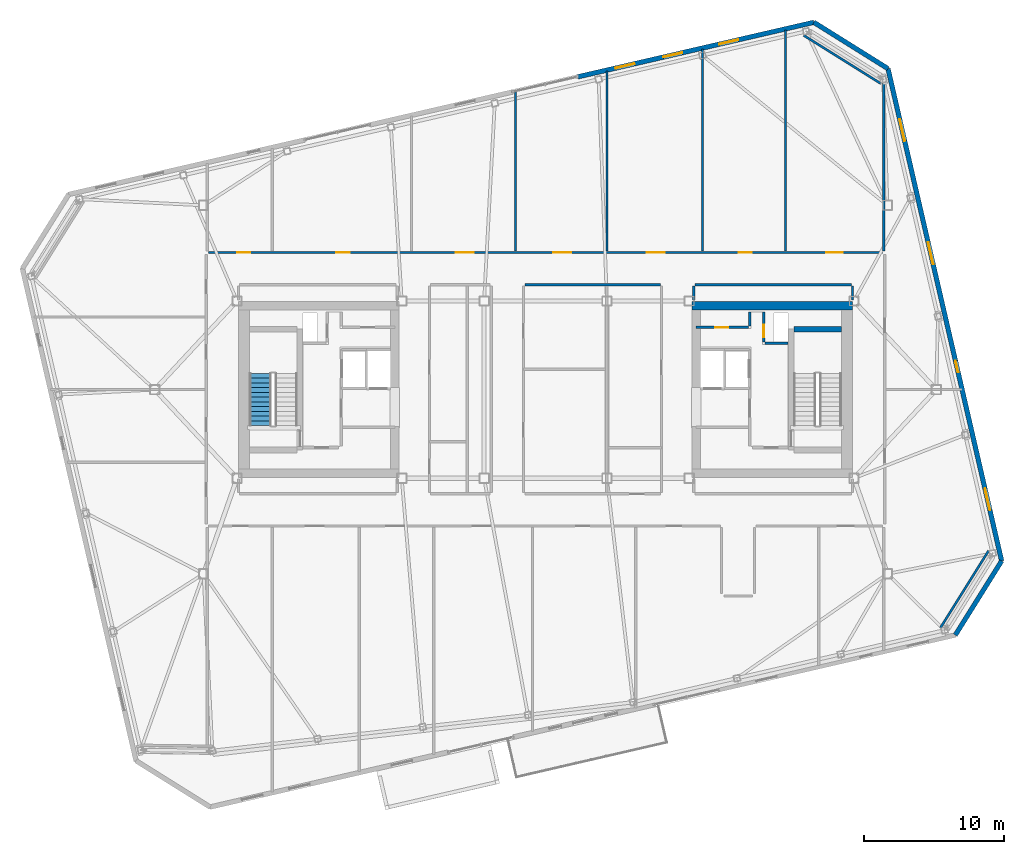
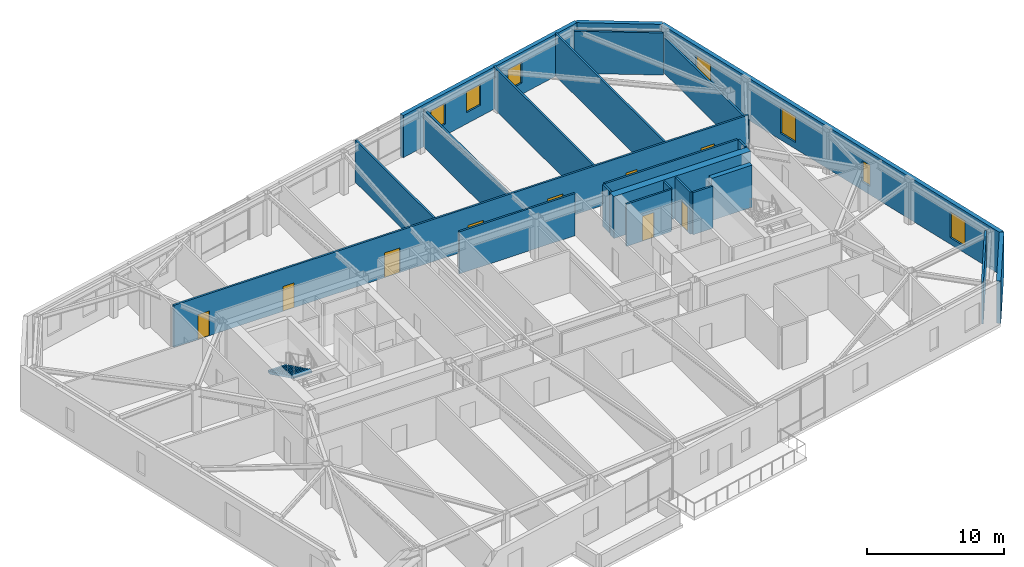
# One storey, part 18 of 23: 22 walls, 9 doors, 7 windows, 1 stair flight, 16 openings, 1 element without a shape of its own.
"""IFC4 building model written with IfcOpenShell, lengths in metres."""

from ifc_helpers import new_model, si_unit, direction, frame, frame_2d, origin, place, context, subcontext, project, spatial, polyline, rectangle, outline, extrude, material, layer, layer_set, type_object, element, fill, aggregate, save


model = new_model("IFC4")

# Units and contexts
model_context = context("Model", 3, precision=1e-05, world=origin(), true_north=direction((0.0, 1.0)))
body_context = subcontext(model_context, "Body", "Model", "MODEL_VIEW")
ifc_project = project(units=[si_unit("LENGTHUNIT", "METRE"), si_unit("AREAUNIT", "SQUARE_METRE"), si_unit("VOLUMEUNIT", "CUBIC_METRE"), si_unit("PLANEANGLEUNIT", "RADIAN"), si_unit("MASSUNIT", "GRAM", prefix="KILO")], contexts=[model_context])

# Site, building, storey
site_placement = place(None, origin())
site = spatial("IfcSite", under=ifc_project, at=site_placement, CompositionType="ELEMENT")
building_placement = place(site_placement, origin())
building = spatial("IfcBuilding", under=site, at=building_placement, Name="Tavrogorsk Clinical Tower", CompositionType="ELEMENT")
storey_placement = place(building_placement, frame((0.0, 0.0, 289.0)))
storey = spatial("IfcBuildingStorey", under=building, at=storey_placement, Name="L67", CompositionType="ELEMENT", Elevation=289.0)

# Wall, opening, door
ifc_material_1 = material(Name="Lightweight concrete blockwork B15", Category="masonry")
ifc_layer_1 = layer(ifc_material_1, 0.159912109375)
ifc_layer_set_1 = layer_set([ifc_layer_1], Name="Lightweight concrete blockwork B15")
wall_type_1 = type_object("IfcWallType", Name="PartitionWall_160", PredefinedType="PARTITIONING", material=ifc_layer_set_1)
wall_1_placement = place(storey_placement, frame((10.800048828125, 4.4599609375, 0.0), z_axis=(0.0, 0.0, 1.0), x_axis=(1.0, 0.0, 0.0)))
wall_1 = element("IfcWall", 1, at=wall_1_placement, inside=storey, type_object=wall_type_1, Name="L67 Core East Pneumatic Dispatch South Wall", PredefinedType="PARTITIONING", context=body_context, shape_type="SweptSolid", body=[
    extrude(rectangle(XDim=3.7548828125, YDim=0.159912109375, at=frame_2d((1.87744140625, 0.0))), origin(), (0.0, 0.0, 1.0), 3.739990234375),
])
opening_1_placement = place(wall_1_placement, frame((1.35009765625, 0.0, 0.0)))
opening_1 = element("IfcOpeningElement", 2, at=opening_1_placement, cuts=wall_1, Name="Opening ID-02", PredefinedType="OPENING", context=body_context, shape_type="SweptSolid", body=[
    extrude(rectangle(XDim=0.949951171875, YDim=2.199951171875, at=frame_2d((0.47509765625, 1.10009765625))), frame((0.0, 0.08984375, 0.0), z_axis=(0.0, -1.0, 0.0), x_axis=(1.0, 0.0, 0.0)), (0.0, 0.0, 1.0), 0.179931640625),
])
ifc_material_2 = material(Name="Laminated timber leaf on aluminium frame", Category="wood")
door_type_1 = type_object("IfcDoorType", Name="InteriorDoor_ID02_950", OperationType="NOTDEFINED", PredefinedType="DOOR", material=ifc_material_2)
door_1_placement = place(opening_1_placement, origin())
door_1 = element("IfcDoor", 3, at=door_1_placement, inside=storey, type_object=door_type_1, Name="L67 Core East Pneumatic Dispatch Door", OperationType="SINGLE_SWING_LEFT", OverallHeight=2.199951171875, OverallWidth=0.949951171875, PredefinedType="DOOR", context=body_context, shape_type="SweptSolid", body=[
    extrude(rectangle(XDim=0.949951171875, YDim=2.199951171875, at=frame_2d((0.47509765625, 1.10009765625))), frame((0.0, 0.02490234375, 0.0), z_axis=(0.0, -1.0, 0.0), x_axis=(1.0, 0.0, 0.0)), (0.0, 0.0, 1.0), 0.050048828125),
])
fill(opening_1, door_1)

# Walls
wall_2_placement = place(storey_placement, frame((14.639892578125, 4.544921875, 0.0), z_axis=(0.0, 0.0, 1.0), x_axis=(0.0, 1.0, 0.0)))
element("IfcWall", 4, at=wall_2_placement, inside=storey, type_object=wall_type_1, Name="L67 Core East Pneumatic Dispatch East Wall", PredefinedType="PARTITIONING", context=body_context, shape_type="SweptSolid", body=[
    extrude(rectangle(XDim=1.01513671875, YDim=0.159912109375, at=frame_2d((0.507568359375, 0.0))), origin(), (0.0, 0.0, 1.0), 3.739990234375),
])
for number, where, z_axis, x_axis, name in (
    (5, (28.30029296875, -17.064697265625, 0.0), (0.0, 0.0, 1.0), (0.529914601736, 0.848051009591, 0.0), "L67 Corner Exoskeleton Brace Furring Wall 1"),
    (6, (24.018310546875, 21.9306640625, 0.0), (0.0, 0.0, 1.0), (-0.848051009591, 0.529914601736, 0.0), "L67 Corner Exoskeleton Brace Furring Wall 2"),
):
    element("IfcWall", number, at=place(storey_placement, frame(where, z_axis=z_axis, x_axis=x_axis)), inside=storey, type_object=wall_type_1, Name=name, PredefinedType="PARTITIONING", context=body_context, shape_type="SweptSolid", body=[
        extrude(rectangle(XDim=6.50537109375, YDim=0.159912109375, at=frame_2d((3.252685546875, 0.0))), origin(), (0.0, 0.0, 1.0), 3.739990234375),
    ])

# Wall, openings, doors
wall_3_placement = place(storey_placement, frame((-24.14501953125, 9.830078125, 0.0), z_axis=(0.0, 0.0, 1.0), x_axis=(1.0, 0.0, 0.0)))
wall_3 = element("IfcWall", 7, at=wall_3_placement, inside=storey, type_object=wall_type_1, Name="L67 Corridor Partition 02", PredefinedType="PARTITIONING", context=body_context, shape_type="SweptSolid", body=[
    extrude(rectangle(XDim=48.2900390625, YDim=0.159912109375, at=frame_2d((24.14501953125, 0.0))), origin(), (0.0, 0.0, 1.0), 3.739990234375),
])
opening_2_placement = place(wall_3_placement, frame((2.044189453125, 0.0, 0.0)))
opening_2 = element("IfcOpeningElement", 8, at=opening_2_placement, cuts=wall_3, Name="Opening ID-02", PredefinedType="OPENING", context=body_context, shape_type="SweptSolid", body=[
    extrude(rectangle(XDim=0.949951171875, YDim=2.199951171875, at=frame_2d((0.47509765625, 1.10009765625))), frame((0.0, 0.08984375, 0.0), z_axis=(0.0, -1.0, 0.0), x_axis=(1.0, 0.0, 0.0)), (0.0, 0.0, 1.0), 0.179931640625),
])
opening_3_placement = place(wall_3_placement, frame((9.1650390625, 0.0, 0.0)))
opening_3 = element("IfcOpeningElement", 9, at=opening_3_placement, cuts=wall_3, Name="Opening ID-02", PredefinedType="OPENING", context=body_context, shape_type="SweptSolid", body=[
    extrude(rectangle(XDim=0.949951171875, YDim=2.199951171875, at=frame_2d((0.47509765625, 1.10009765625))), frame((0.0, 0.08984375, 0.0), z_axis=(0.0, -1.0, 0.0), x_axis=(1.0, 0.0, 0.0)), (0.0, 0.0, 1.0), 0.179931640625),
])
opening_4_placement = place(wall_3_placement, frame((17.705078125, 0.0, 0.0)))
opening_4 = element("IfcOpeningElement", 10, at=opening_4_placement, cuts=wall_3, Name="Opening ID-01", PredefinedType="OPENING", context=body_context, shape_type="SweptSolid", body=[
    extrude(rectangle(XDim=1.300048828125, YDim=2.199951171875, at=frame_2d((0.64990234375, 1.10009765625))), frame((0.0, 0.08984375, 0.0), z_axis=(0.0, -1.0, 0.0), x_axis=(1.0, 0.0, 0.0)), (0.0, 0.0, 1.0), 0.179931640625),
])
opening_5_placement = place(wall_3_placement, frame((24.705078125, 0.0, 0.0)))
opening_5 = element("IfcOpeningElement", 11, at=opening_5_placement, cuts=wall_3, Name="Opening ID-01", PredefinedType="OPENING", context=body_context, shape_type="SweptSolid", body=[
    extrude(rectangle(XDim=1.300048828125, YDim=2.199951171875, at=frame_2d((0.64990234375, 1.10009765625))), frame((0.0, 0.08984375, 0.0), z_axis=(0.0, -1.0, 0.0), x_axis=(1.0, 0.0, 0.0)), (0.0, 0.0, 1.0), 0.179931640625),
])
opening_6_placement = place(wall_3_placement, frame((31.405029296875, 0.0, 0.0)))
opening_6 = element("IfcOpeningElement", 12, at=opening_6_placement, cuts=wall_3, Name="Opening ID-01", PredefinedType="OPENING", context=body_context, shape_type="SweptSolid", body=[
    extrude(rectangle(XDim=1.300048828125, YDim=2.199951171875, at=frame_2d((0.64990234375, 1.10009765625))), frame((0.0, 0.08984375, 0.0), z_axis=(0.0, -1.0, 0.0), x_axis=(1.0, 0.0, 0.0)), (0.0, 0.0, 1.0), 0.179931640625),
])
opening_7_placement = place(wall_3_placement, frame((37.97998046875, 0.0, 0.0)))
opening_7 = element("IfcOpeningElement", 13, at=opening_7_placement, cuts=wall_3, Name="Opening ID-02", PredefinedType="OPENING", context=body_context, shape_type="SweptSolid", body=[
    extrude(rectangle(XDim=0.949951171875, YDim=2.199951171875, at=frame_2d((0.47509765625, 1.10009765625))), frame((0.0, 0.08984375, 0.0), z_axis=(0.0, -1.0, 0.0), x_axis=(1.0, 0.0, 0.0)), (0.0, 0.0, 1.0), 0.179931640625),
])
opening_8_placement = place(wall_3_placement, frame((44.27587890625, 0.0, 0.0)))
opening_8 = element("IfcOpeningElement", 14, at=opening_8_placement, cuts=wall_3, Name="Opening ID-06", PredefinedType="OPENING", context=body_context, shape_type="SweptSolid", body=[
    extrude(rectangle(XDim=1.14990234375, YDim=2.199951171875, at=frame_2d((0.574951171875, 1.10009765625))), frame((0.0, 0.08984375, 0.0), z_axis=(0.0, -1.0, 0.0), x_axis=(1.0, 0.0, 0.0)), (0.0, 0.0, 1.0), 0.179931640625),
])
door_2_placement = place(opening_2_placement, origin())
door_2 = element("IfcDoor", 15, at=door_2_placement, inside=storey, type_object=door_type_1, Name="L67 North Physician Consultation Office 01 Door", OperationType="SINGLE_SWING_LEFT", OverallHeight=2.199951171875, OverallWidth=0.949951171875, PredefinedType="DOOR", context=body_context, shape_type="SweptSolid", body=[
    extrude(rectangle(XDim=0.949951171875, YDim=2.199951171875, at=frame_2d((0.47509765625, 1.10009765625))), frame((0.0, 0.02490234375, 0.0), z_axis=(0.0, -1.0, 0.0), x_axis=(1.0, 0.0, 0.0)), (0.0, 0.0, 1.0), 0.050048828125),
])
fill(opening_2, door_2)
door_3_placement = place(opening_3_placement, origin())
door_3 = element("IfcDoor", 16, at=door_3_placement, inside=storey, type_object=door_type_1, Name="L67 North Patient & Family Quiet Lounge 02 Door", OperationType="SINGLE_SWING_RIGHT", OverallHeight=2.199951171875, OverallWidth=0.949951171875, PredefinedType="DOOR", context=body_context, shape_type="SweptSolid", body=[
    extrude(rectangle(XDim=0.949951171875, YDim=2.199951171875, at=frame_2d((0.47509765625, 1.10009765625))), frame((0.0, 0.02490234375, 0.0), z_axis=(0.0, -1.0, 0.0), x_axis=(1.0, 0.0, 0.0)), (0.0, 0.0, 1.0), 0.050048828125),
])
fill(opening_3, door_3)
door_4_placement = place(opening_7_placement, origin())
door_4 = element("IfcDoor", 17, at=door_4_placement, inside=storey, type_object=door_type_1, Name="L67 North Physician Consultation Office 04B Door", OperationType="SINGLE_SWING_RIGHT", OverallHeight=2.199951171875, OverallWidth=0.949951171875, PredefinedType="DOOR", context=body_context, shape_type="SweptSolid", body=[
    extrude(rectangle(XDim=0.949951171875, YDim=2.199951171875, at=frame_2d((0.47509765625, 1.10009765625))), frame((0.0, 0.02490234375, 0.0), z_axis=(0.0, -1.0, 0.0), x_axis=(1.0, 0.0, 0.0)), (0.0, 0.0, 1.0), 0.050048828125),
])
fill(opening_7, door_4)
ifc_material_3 = material(Name="Antibacterial HPL procedure door on aluminium frame", Category="aluminium")
door_type_2 = type_object("IfcDoorType", Name="LabDoor_ID06_1150", OperationType="NOTDEFINED", PredefinedType="DOOR", material=ifc_material_3)
door_5_placement = place(opening_8_placement, origin())
door_5 = element("IfcDoor", 18, at=door_5_placement, inside=storey, type_object=door_type_2, Name="L67 North Multidisciplinary Case Room 05 Door", OperationType="SINGLE_SWING_LEFT", OverallHeight=2.199951171875, OverallWidth=1.14990234375, PredefinedType="DOOR", context=body_context, shape_type="SweptSolid", body=[
    extrude(rectangle(XDim=1.14990234375, YDim=2.199951171875, at=frame_2d((0.574951171875, 1.10009765625))), frame((0.0, 0.02490234375, 0.0), z_axis=(0.0, -1.0, 0.0), x_axis=(1.0, 0.0, 0.0)), (0.0, 0.0, 1.0), 0.050048828125),
])
fill(opening_8, door_5)
ifc_material_4 = material(Name="Antibacterial HPL medical leaf on aluminium frame", Category="aluminium")
door_type_3 = type_object("IfcDoorType", Name="WardBedDoor_ID01_1300", OperationType="NOTDEFINED", PredefinedType="DOOR", material=ifc_material_4)
door_6_placement = place(opening_4_placement, origin())
door_6 = element("IfcDoor", 19, at=door_6_placement, inside=storey, type_object=door_type_3, Name="L67 North Acute Isolation Suite 03A Door", OperationType="SINGLE_SWING_LEFT", OverallHeight=2.199951171875, OverallWidth=1.300048828125, PredefinedType="DOOR", context=body_context, shape_type="SweptSolid", body=[
    extrude(rectangle(XDim=1.300048828125, YDim=2.199951171875, at=frame_2d((0.64990234375, 1.10009765625))), frame((0.0, 0.02490234375, 0.0), z_axis=(0.0, -1.0, 0.0), x_axis=(1.0, 0.0, 0.0)), (0.0, 0.0, 1.0), 0.050048828125),
])
fill(opening_4, door_6)
door_7_placement = place(opening_5_placement, origin())
door_7 = element("IfcDoor", 20, at=door_7_placement, inside=storey, type_object=door_type_3, Name="L67 North Step-Down Telemetry Ward 03B Door", OperationType="SINGLE_SWING_RIGHT", OverallHeight=2.199951171875, OverallWidth=1.300048828125, PredefinedType="DOOR", context=body_context, shape_type="SweptSolid", body=[
    extrude(rectangle(XDim=1.300048828125, YDim=2.199951171875, at=frame_2d((0.64990234375, 1.10009765625))), frame((0.0, 0.02490234375, 0.0), z_axis=(0.0, -1.0, 0.0), x_axis=(1.0, 0.0, 0.0)), (0.0, 0.0, 1.0), 0.050048828125),
])
fill(opening_5, door_7)
door_8_placement = place(opening_6_placement, origin())
door_8 = element("IfcDoor", 21, at=door_8_placement, inside=storey, type_object=door_type_3, Name="L67 North Sub-Acute Recovery Ward 04A Door", OperationType="SINGLE_SWING_LEFT", OverallHeight=2.199951171875, OverallWidth=1.300048828125, PredefinedType="DOOR", context=body_context, shape_type="SweptSolid", body=[
    extrude(rectangle(XDim=1.300048828125, YDim=2.199951171875, at=frame_2d((0.64990234375, 1.10009765625))), frame((0.0, 0.02490234375, 0.0), z_axis=(0.0, -1.0, 0.0), x_axis=(1.0, 0.0, 0.0)), (0.0, 0.0, 1.0), 0.050048828125),
])
fill(opening_6, door_8)

# Walls
wall_4_placement = place(storey_placement, frame((21.9150390625, 7.52001953125, 0.0), z_axis=(0.0, 0.0, 1.0), x_axis=(-1.0, 0.0, 0.0)))
element("IfcWall", 22, at=wall_4_placement, inside=storey, type_object=wall_type_1, Name="L67 Corridor Partition 09", PredefinedType="PARTITIONING", context=body_context, shape_type="SweptSolid", body=[
    extrude(rectangle(XDim=11.199951171875, YDim=0.159912109375, at=frame_2d((5.60009765625, 0.0))), origin(), (0.0, 0.0, 1.0), 3.739990234375),
])
for number, where, z_axis, x_axis, name in (
    (23, (10.6298828125, 7.43505859375, 0.0), (0.0, 0.0, 1.0), (0.0, -1.0, 0.0), "L67 Corridor Partition 10"),
    (24, (22.0, 6.419921875, 0.0), (0.0, 0.0, 1.0), (0.0, 1.0, 0.0), "L67 Corridor Partition 14"),
):
    element("IfcWall", number, at=place(storey_placement, frame(where, z_axis=z_axis, x_axis=x_axis)), inside=storey, type_object=wall_type_1, Name=name, PredefinedType="PARTITIONING", context=body_context, shape_type="SweptSolid", body=[
        extrude(rectangle(XDim=1.01513671875, YDim=0.159912109375, at=frame_2d((0.507568359375, 0.0))), origin(), (0.0, 0.0, 1.0), 3.739990234375),
    ])
wall_5_placement = place(storey_placement, frame((8.235107421875, 7.52001953125, 0.0), z_axis=(0.0, 0.0, 1.0), x_axis=(-1.0, 0.0, 0.0)))
element("IfcWall", 25, at=wall_5_placement, inside=storey, type_object=wall_type_1, Name="L67 Corridor Partition 15", PredefinedType="PARTITIONING", context=body_context, shape_type="SweptSolid", body=[
    extrude(rectangle(XDim=9.72021484375, YDim=0.159912109375, at=frame_2d((4.860107421875, 0.0))), origin(), (0.0, 0.0, 1.0), 3.739990234375),
])
wall_6_placement = place(storey_placement, frame((24.22998046875, 9.9150390625, 0.0), z_axis=(0.0, 0.0, 1.0), x_axis=(0.0, 1.0, 0.0)))
element("IfcWall", 26, at=wall_6_placement, inside=storey, type_object=wall_type_1, Name="L67 NE Wing Closure Partition", PredefinedType="PARTITIONING", context=body_context, shape_type="SweptSolid", body=[
    extrude(rectangle(XDim=12.65625, YDim=0.159912109375, at=frame_2d((6.328125, 0.0))), origin(), (0.0, 0.0, 1.0), 3.18505859375),
])
wall_7_placement = place(storey_placement, frame((4.39990234375, 9.9150390625, 0.0), z_axis=(0.0, 0.0, 1.0), x_axis=(0.0, 1.0, 0.0)))
element("IfcWall", 27, at=wall_7_placement, inside=storey, type_object=wall_type_1, Name="L67 North Room Partition 3", PredefinedType="PARTITIONING", context=body_context, shape_type="SweptSolid", body=[
    extrude(rectangle(XDim=12.90576171875, YDim=0.159912109375, at=frame_2d((6.452880859375, 0.0))), origin(), (0.0, 0.0, 1.0), 3.3349609375),
])
wall_8_placement = place(storey_placement, frame((17.199951171875, 9.9150390625, 0.0), z_axis=(0.0, 0.0, 1.0), x_axis=(0.0, 1.0, 0.0)))
element("IfcWall", 28, at=wall_8_placement, inside=storey, type_object=wall_type_1, Name="L67 North Room Partition 4", PredefinedType="PARTITIONING", context=body_context, shape_type="SweptSolid", body=[
    extrude(rectangle(XDim=15.86083984375, YDim=0.159912109375, at=frame_2d((7.930419921875, 0.0))), origin(), (0.0, 0.0, 1.0), 3.739990234375),
])
wall_9_placement = place(storey_placement, frame((-2.14990234375, 9.9150390625, 0.0), z_axis=(0.0, 0.0, 1.0), x_axis=(0.0, 1.0, 0.0)))
element("IfcWall", 29, at=wall_9_placement, inside=storey, type_object=wall_type_1, Name="L67 North Sub-Partition 3", PredefinedType="PARTITIONING", context=body_context, shape_type="SweptSolid", body=[
    extrude(rectangle(XDim=11.3935546875, YDim=0.159912109375, at=frame_2d((5.69677734375, 0.0))), origin(), (0.0, 0.0, 1.0), 3.739990234375),
])
wall_10_placement = place(storey_placement, frame((11.25, 9.9150390625, 0.0), z_axis=(0.0, 0.0, 1.0), x_axis=(0.0, 1.0, 0.0)))
element("IfcWall", 30, at=wall_10_placement, inside=storey, type_object=wall_type_1, Name="L67 North Sub-Partition 4", PredefinedType="PARTITIONING", context=body_context, shape_type="SweptSolid", body=[
    extrude(rectangle(XDim=14.487060546875, YDim=0.159912109375, at=frame_2d((7.24365234375, 0.0))), origin(), (0.0, 0.0, 1.0), 3.739990234375),
])

# Wall, openings, windows
ifc_material_5 = material(Name="Precast concrete B45 with limestone cladding", Category="masonry")
ifc_layer_2 = layer(ifc_material_5, 0.340087890625)
ifc_layer_set_2 = layer_set([ifc_layer_2], Name="Precast concrete B45 with limestone cladding")
wall_type_2 = type_object("IfcWallType", Name="PrecastLimestoneWall_340", PredefinedType="STANDARD", material=ifc_layer_set_2)
wall_11_placement = place(storey_placement, frame((19.2294921875, 26.316162109375, 0.0), z_axis=(0.0, 0.0, 1.0), x_axis=(-0.974372473594, -0.224940620392, 0.0)))
wall_11 = element("IfcWall", 31, at=wall_11_placement, inside=storey, type_object=wall_type_2, Name="L67 N Limestone Facade Wall 1", PredefinedType="STANDARD", context=body_context, shape_type="SweptSolid", body=[
    extrude(rectangle(XDim=17.36572265625, YDim=0.340087890625, at=frame_2d((8.682861328125, 0.0))), origin(), (0.0, 0.0, 1.0), 3.739990234375),
])
opening_9_placement = place(wall_11_placement, frame((13.187255859375, 0.0, 1.0)))
opening_9 = element("IfcOpeningElement", 32, at=opening_9_placement, cuts=wall_11, Name="Opening WN-17", PredefinedType="OPENING", context=body_context, shape_type="SweptSolid", body=[
    extrude(rectangle(XDim=1.39990234375, YDim=1.85009765625, at=frame_2d((0.699951171875, 0.925048828125))), frame((0.0, 0.179931640625, 0.0), z_axis=(0.0, -1.0, 0.0), x_axis=(1.0, 0.0, 0.0)), (0.0, 0.0, 1.0), 0.360107421875),
])
opening_10_placement = place(wall_11_placement, frame((9.675537109375, 0.0, 1.0)))
opening_10 = element("IfcOpeningElement", 33, at=opening_10_placement, cuts=wall_11, Name="Opening WN-17", PredefinedType="OPENING", context=body_context, shape_type="SweptSolid", body=[
    extrude(rectangle(XDim=1.39990234375, YDim=1.85009765625, at=frame_2d((0.699951171875, 0.925048828125))), frame((0.0, 0.179931640625, 0.0), z_axis=(0.0, -1.0, 0.0), x_axis=(1.0, 0.0, 0.0)), (0.0, 0.0, 1.0), 0.360107421875),
])
opening_11_placement = place(wall_11_placement, frame((5.552978515625, 0.0, 1.0)))
opening_11 = element("IfcOpeningElement", 34, at=opening_11_placement, cuts=wall_11, Name="Opening WN-17", PredefinedType="OPENING", context=body_context, shape_type="SweptSolid", body=[
    extrude(rectangle(XDim=1.39990234375, YDim=1.85009765625, at=frame_2d((0.699951171875, 0.925048828125))), frame((0.0, 0.179931640625, 0.0), z_axis=(0.0, -1.0, 0.0), x_axis=(1.0, 0.0, 0.0)), (0.0, 0.0, 1.0), 0.360107421875),
])
ifc_material_6 = material(Name="Thermally broken aluminium frame and triple IGU", Category="aluminium")
window_type_1 = type_object("IfcWindowType", Name="TelemetryWin_1400x1850", PartitioningType="SINGLE_PANEL", PredefinedType="WINDOW", material=ifc_material_6)
window_1_placement = place(opening_9_placement, origin())
window_1 = element("IfcWindow", 35, at=window_1_placement, inside=storey, type_object=window_type_1, Name="L67 N Chicago Window 07", OverallHeight=1.85009765625, OverallWidth=1.39990234375, PartitioningType="SINGLE_PANEL", PredefinedType="WINDOW", context=body_context, shape_type="SweptSolid", body=[
    extrude(rectangle(XDim=1.39990234375, YDim=1.85009765625, at=frame_2d((0.699951171875, 0.925048828125))), frame((0.0, 0.030029296875, 0.0), z_axis=(0.0, -1.0, 0.0), x_axis=(1.0, 0.0, 0.0)), (0.0, 0.0, 1.0), 0.06005859375),
])
fill(opening_9, window_1)
window_2_placement = place(opening_10_placement, origin())
window_2 = element("IfcWindow", 36, at=window_2_placement, inside=storey, type_object=window_type_1, Name="L67 N Chicago Window 08", OverallHeight=1.85009765625, OverallWidth=1.39990234375, PartitioningType="SINGLE_PANEL", PredefinedType="WINDOW", context=body_context, shape_type="SweptSolid", body=[
    extrude(rectangle(XDim=1.39990234375, YDim=1.85009765625, at=frame_2d((0.699951171875, 0.925048828125))), frame((0.0, 0.030029296875, 0.0), z_axis=(0.0, -1.0, 0.0), x_axis=(1.0, 0.0, 0.0)), (0.0, 0.0, 1.0), 0.06005859375),
])
fill(opening_10, window_2)
window_3_placement = place(opening_11_placement, origin())
window_3 = element("IfcWindow", 37, at=window_3_placement, inside=storey, type_object=window_type_1, Name="L67 N Chicago Window 09", OverallHeight=1.85009765625, OverallWidth=1.39990234375, PartitioningType="SINGLE_PANEL", PredefinedType="WINDOW", context=body_context, shape_type="SweptSolid", body=[
    extrude(rectangle(XDim=1.39990234375, YDim=1.85009765625, at=frame_2d((0.699951171875, 0.925048828125))), frame((0.0, 0.030029296875, 0.0), z_axis=(0.0, -1.0, 0.0), x_axis=(1.0, 0.0, 0.0)), (0.0, 0.0, 1.0), 0.06005859375),
])
fill(opening_11, window_3)

wall_12_placement = place(storey_placement, frame((32.685791015625, -12.27587890625, 0.0), z_axis=(0.0, 0.0, 1.0), x_axis=(-0.224953091034, 0.974369594576, 0.0)))
wall_12 = element("IfcWall", 38, at=wall_12_placement, inside=storey, type_object=wall_type_2, Name="L67 E Pleated Limestone Wing Wall", PredefinedType="STANDARD", context=body_context, shape_type="SweptSolid", body=[
    extrude(rectangle(XDim=36.199951171875, YDim=0.340087890625, at=frame_2d((18.10009765625, 0.0))), origin(), (0.0, 0.0, 1.0), 3.739990234375),
])
opening_12_placement = place(wall_12_placement, frame((3.72509765625, 0.0, 0.580078125)))
opening_12 = element("IfcOpeningElement", 39, at=opening_12_placement, cuts=wall_12, Name="Opening WN-07", PredefinedType="OPENING", context=body_context, shape_type="SweptSolid", body=[
    extrude(rectangle(XDim=1.60009765625, YDim=2.300048828125, at=frame_2d((0.800048828125, 1.14990234375))), frame((0.0, 0.179931640625, 0.0), z_axis=(0.0, -1.0, 0.0), x_axis=(1.0, 0.0, 0.0)), (0.0, 0.0, 1.0), 0.360107421875),
])
opening_13_placement = place(wall_12_placement, frame((13.875, 0.0, 0.75)))
opening_13 = element("IfcOpeningElement", 40, at=opening_13_placement, cuts=wall_12, Name="Opening WN-06", PredefinedType="OPENING", context=body_context, shape_type="SweptSolid", body=[
    extrude(rectangle(XDim=0.85009765625, YDim=1.85009765625, at=frame_2d((0.425048828125, 0.925048828125))), frame((0.0, 0.179931640625, 0.0), z_axis=(0.0, -1.0, 0.0), x_axis=(1.0, 0.0, 0.0)), (0.0, 0.0, 1.0), 0.360107421875),
])
opening_14_placement = place(wall_12_placement, frame((21.824951171875, 0.0, 0.580078125)))
opening_14 = element("IfcOpeningElement", 41, at=opening_14_placement, cuts=wall_12, Name="Opening WN-07", PredefinedType="OPENING", context=body_context, shape_type="SweptSolid", body=[
    extrude(rectangle(XDim=1.60009765625, YDim=2.300048828125, at=frame_2d((0.800048828125, 1.14990234375))), frame((0.0, 0.179931640625, 0.0), z_axis=(0.0, -1.0, 0.0), x_axis=(1.0, 0.0, 0.0)), (0.0, 0.0, 1.0), 0.360107421875),
])
opening_15_placement = place(wall_12_placement, frame((30.875, 0.0, 0.580078125)))
opening_15 = element("IfcOpeningElement", 42, at=opening_15_placement, cuts=wall_12, Name="Opening WN-07", PredefinedType="OPENING", context=body_context, shape_type="SweptSolid", body=[
    extrude(rectangle(XDim=1.60009765625, YDim=2.300048828125, at=frame_2d((0.800048828125, 1.14990234375))), frame((0.0, 0.179931640625, 0.0), z_axis=(0.0, -1.0, 0.0), x_axis=(1.0, 0.0, 0.0)), (0.0, 0.0, 1.0), 0.360107421875),
])
ifc_material_7 = material(Name="Thermally broken aluminium frame and triple IGU", Category="aluminium")
window_type_2 = type_object("IfcWindowType", Name="MullionSubWin_850x1850", PartitioningType="SINGLE_PANEL", PredefinedType="WINDOW", material=ifc_material_7)
window_4_placement = place(opening_13_placement, origin())
window_4 = element("IfcWindow", 43, at=window_4_placement, inside=storey, type_object=window_type_2, Name="L67 E Pleat Mullion Window 2B", OverallHeight=1.85009765625, OverallWidth=0.85009765625, PartitioningType="SINGLE_PANEL", PredefinedType="WINDOW", context=body_context, shape_type="SweptSolid", body=[
    extrude(rectangle(XDim=0.85009765625, YDim=1.85009765625, at=frame_2d((0.425048828125, 0.925048828125))), frame((0.0, 0.030029296875, 0.0), z_axis=(0.0, -1.0, 0.0), x_axis=(1.0, 0.0, 0.0)), (0.0, 0.0, 1.0), 0.06005859375),
])
fill(opening_13, window_4)
ifc_material_8 = material(Name="Thermally broken aluminium frame and triple IGU", Category="aluminium")
window_type_3 = type_object("IfcWindowType", Name="PleatSlotWin_1600x2300", PartitioningType="SINGLE_PANEL", PredefinedType="WINDOW", material=ifc_material_8)
window_5_placement = place(opening_12_placement, origin())
window_5 = element("IfcWindow", 44, at=window_5_placement, inside=storey, type_object=window_type_3, Name="L67 E Pleat Slot Window 1", OverallHeight=2.300048828125, OverallWidth=1.60009765625, PartitioningType="SINGLE_PANEL", PredefinedType="WINDOW", context=body_context, shape_type="SweptSolid", body=[
    extrude(rectangle(XDim=1.60009765625, YDim=2.300048828125, at=frame_2d((0.800048828125, 1.14990234375))), frame((0.0, 0.030029296875, 0.0), z_axis=(0.0, -1.0, 0.0), x_axis=(1.0, 0.0, 0.0)), (0.0, 0.0, 1.0), 0.06005859375),
])
fill(opening_12, window_5)
window_6_placement = place(opening_14_placement, origin())
window_6 = element("IfcWindow", 45, at=window_6_placement, inside=storey, type_object=window_type_3, Name="L67 E Pleat Slot Window 3", OverallHeight=2.300048828125, OverallWidth=1.60009765625, PartitioningType="SINGLE_PANEL", PredefinedType="WINDOW", context=body_context, shape_type="SweptSolid", body=[
    extrude(rectangle(XDim=1.60009765625, YDim=2.300048828125, at=frame_2d((0.800048828125, 1.14990234375))), frame((0.0, 0.030029296875, 0.0), z_axis=(0.0, -1.0, 0.0), x_axis=(1.0, 0.0, 0.0)), (0.0, 0.0, 1.0), 0.06005859375),
])
fill(opening_14, window_6)
window_7_placement = place(opening_15_placement, origin())
window_7 = element("IfcWindow", 46, at=window_7_placement, inside=storey, type_object=window_type_3, Name="L67 E Pleat Slot Window 4", OverallHeight=2.300048828125, OverallWidth=1.60009765625, PartitioningType="SINGLE_PANEL", PredefinedType="WINDOW", context=body_context, shape_type="SweptSolid", body=[
    extrude(rectangle(XDim=1.60009765625, YDim=2.300048828125, at=frame_2d((0.800048828125, 1.14990234375))), frame((0.0, 0.030029296875, 0.0), z_axis=(0.0, -1.0, 0.0), x_axis=(1.0, 0.0, 0.0)), (0.0, 0.0, 1.0), 0.06005859375),
])
fill(opening_15, window_7)

# Walls
for number, where, z_axis, x_axis, name in (
    (47, (29.365966796875, -17.5888671875, 0.0), (0.0, 0.0, 1.0), (0.529907862057, 0.848055220921, 0.0), "L67 Chamfered Corner Wall 1"),
    (48, (24.54248046875, 22.996337890625, 0.0), (0.0, 0.0, 1.0), (-0.848055220921, 0.529907862057, 0.0), "L67 Chamfered Corner Wall 2"),
):
    element("IfcWall", number, at=place(storey_placement, frame(where, z_axis=z_axis, x_axis=x_axis)), inside=storey, type_object=wall_type_2, Name=name, PredefinedType="STANDARD", context=body_context, shape_type="SweptSolid", body=[
        extrude(rectangle(XDim=6.264892578125, YDim=0.340087890625, at=frame_2d((3.13232421875, 0.0))), origin(), (0.0, 0.0, 1.0), 3.739990234375),
    ])

# Wall, opening, door
ifc_material_9 = material(Name="Lightweight concrete blockwork B25", Category="masonry")
ifc_layer_3 = layer(ifc_material_9, 0.159912109375)
ifc_layer_set_3 = layer_set([ifc_layer_3], Name="Lightweight concrete blockwork B25")
wall_type_3 = type_object("IfcWallType", Name="ShaftWall_160", PredefinedType="PARTITIONING", material=ifc_layer_set_3)
wall_13_placement = place(storey_placement, frame((15.639892578125, 3.405029296875, 0.0), z_axis=(0.0, 0.0, 1.0), x_axis=(0.0, 1.0, 0.0)))
wall_13 = element("IfcWall", 49, at=wall_13_placement, inside=storey, type_object=wall_type_3, Name="L67 Core East Riser West Wall", PredefinedType="PARTITIONING", context=body_context, shape_type="SweptSolid", body=[
    extrude(rectangle(XDim=2.155029296875, YDim=0.159912109375, at=frame_2d((1.07763671875, 0.0))), origin(), (0.0, 0.0, 1.0), 3.739990234375),
])
opening_16_placement = place(wall_13_placement, frame((0.35009765625, 0.0, 0.0)))
opening_16 = element("IfcOpeningElement", 50, at=opening_16_placement, cuts=wall_13, Name="Opening FD-02", PredefinedType="OPENING", context=body_context, shape_type="SweptSolid", body=[
    extrude(rectangle(XDim=0.89990234375, YDim=2.199951171875, at=frame_2d((0.449951171875, 1.10009765625))), frame((0.0, 0.08984375, 0.0), z_axis=(0.0, -1.0, 0.0), x_axis=(1.0, 0.0, 0.0)), (0.0, 0.0, 1.0), 0.179931640625),
])
ifc_material_10 = material(Name="Galvanised steel fire-rated door assembly", Category="steel")
door_type_4 = type_object("IfcDoorType", Name="FireDoor_FD02_900", OperationType="NOTDEFINED", PredefinedType="DOOR", material=ifc_material_10)
door_9_placement = place(opening_16_placement, origin())
door_9 = element("IfcDoor", 51, at=door_9_placement, inside=storey, type_object=door_type_4, Name="L67 Core East Electrical Riser Access Door", OperationType="SINGLE_SWING_LEFT", OverallHeight=2.199951171875, OverallWidth=0.89990234375, PredefinedType="DOOR", context=body_context, shape_type="SweptSolid", body=[
    extrude(rectangle(XDim=0.89990234375, YDim=2.199951171875, at=frame_2d((0.449951171875, 1.10009765625))), frame((0.0, 0.02490234375, 0.0), z_axis=(0.0, -1.0, 0.0), x_axis=(1.0, 0.0, 0.0)), (0.0, 0.0, 1.0), 0.050048828125),
])
fill(opening_16, door_9)

# Walls
wall_14_placement = place(storey_placement, frame((15.72509765625, 3.320068359375, 0.0), z_axis=(0.0, 0.0, 1.0), x_axis=(1.0, 0.0, 0.0)))
element("IfcWall", 52, at=wall_14_placement, inside=storey, type_object=wall_type_3, Name="L67 Core East Riser South Wall", PredefinedType="PARTITIONING", context=body_context, shape_type="SweptSolid", body=[
    extrude(rectangle(XDim=1.65478515625, YDim=0.159912109375, at=frame_2d((0.827392578125, 0.0))), origin(), (0.0, 0.0, 1.0), 3.739990234375),
])
ifc_material_11 = material(Name="Concrete B80", Category="concrete")
ifc_layer_4 = layer(ifc_material_11, 0.39990234375)
ifc_layer_set_4 = layer_set([ifc_layer_4], Name="Concrete B80")
wall_type_4 = type_object("IfcWallType", Name="ShearWall_400", PredefinedType="SHEAR", material=ifc_layer_set_4)
wall_15_placement = place(storey_placement, frame((17.800048828125, 4.324951171875, 0.0), z_axis=(0.0, 0.0, 1.0), x_axis=(1.0, 0.0, 0.0)))
element("IfcWall", 53, at=wall_15_placement, inside=storey, type_object=wall_type_4, Name="L67 Core East Stair Shaft North Shear Wall", PredefinedType="SHEAR", context=body_context, shape_type="SweptSolid", body=[
    extrude(rectangle(XDim=3.39990234375, YDim=0.39990234375, at=frame_2d((1.699951171875, 0.0))), origin(), (0.0, 0.0, 1.0), 3.739990234375),
])
ifc_material_12 = material(Name="Concrete B80", Category="concrete")
ifc_layer_5 = layer(ifc_material_12, 0.60009765625)
ifc_layer_set_5 = layer_set([ifc_layer_5], Name="Concrete B80")
wall_type_5 = type_object("IfcWallType", Name="ShearWall_600", PredefinedType="SHEAR", material=ifc_layer_set_5)
wall_16_placement = place(storey_placement, frame((10.5, 6.0, 0.0), z_axis=(0.0, 0.0, 1.0), x_axis=(1.0, 0.0, 0.0)))
element("IfcWall", 54, at=wall_16_placement, inside=storey, type_object=wall_type_5, Name="L67 Core East North Shear Wall", PredefinedType="SHEAR", context=body_context, shape_type="SweptSolid", body=[
    extrude(rectangle(XDim=11.5, YDim=0.60009765625, at=frame_2d((5.75, 0.0))), origin(), (0.0, 0.0, 1.0), 3.739990234375),
])

# Stair, stair flight
ifc_material_13 = material(Name="Concrete B60", Category="concrete")
stair_type = type_object("IfcStairType", Name="CoreStairAssembly", PredefinedType="HALF_TURN_STAIR", material=ifc_material_13)
stair_placement = place(storey_placement, origin())
stair = element("IfcStair", 55, at=stair_placement, inside=storey, type_object=stair_type, Name="L67 ST-W", PredefinedType="HALF_TURN_STAIR")
ifc_material_14 = material(Name="Concrete B60", Category="concrete")
stair_flight_type = type_object("IfcStairFlightType", Name="CoreStairFlight", PredefinedType="STRAIGHT", material=ifc_material_14)
stair_flight_placement = place(storey_placement, frame((-20.425048828125, 1.1650390625, 2.0), z_axis=(0.0, 0.0, 1.0), x_axis=(0.0, -1.0, 0.0)))
stair_flight = element("IfcStairFlight", 56, at=stair_flight_placement, type_object=stair_flight_type, Name="ST-W flight 2", NumberOfRisers=12, NumberOfTreads=11, PredefinedType="STRAIGHT", RiserHeight=0.166666667, TreadLength=0.34, context=body_context, shape_type="SweptSolid", body=[
    extrude(outline(polyline([(0.0, 0.0), (0.0, 0.166748046875), (0.340087890625, 0.166748046875), (0.340087890625, 0.333251953125), (0.679931640625, 0.333251953125), (0.679931640625, 0.5), (1.02001953125, 0.5), (1.02001953125, 0.666748046875), (1.360107421875, 0.666748046875), (1.360107421875, 0.833251953125), (1.699951171875, 0.833251953125), (1.699951171875, 1.0), (2.0400390625, 1.0), (2.0400390625, 1.166748046875), (2.3798828125, 1.166748046875), (2.3798828125, 1.333251953125), (2.719970703125, 1.333251953125), (2.719970703125, 1.5), (3.06005859375, 1.5), (3.06005859375, 1.666748046875), (3.39990234375, 1.666748046875), (3.39990234375, 1.833251953125), (3.739990234375, 1.833251953125), (3.739990234375, 2.0), (3.739990234375, 1.66650390625), (0.340576171875, 0.0), (0.0, 0.0)])), frame((0.0, 0.77490234375, 0.0), z_axis=(0.0, -1.0, 0.0), x_axis=(1.0, 0.0, 0.0)), (0.0, 0.0, 1.0), 1.550048828125),
])
aggregate(stair, [stair_flight])

save(model, "model.ifc")
